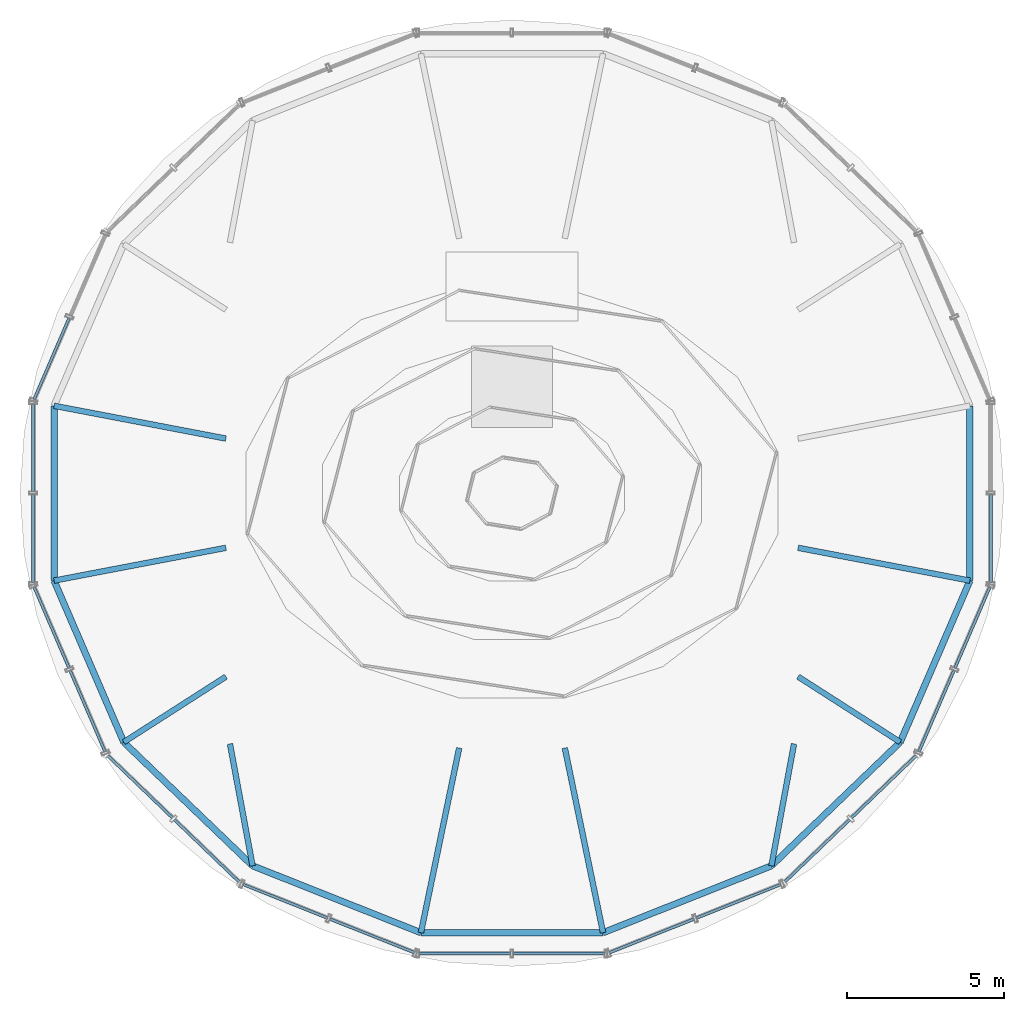
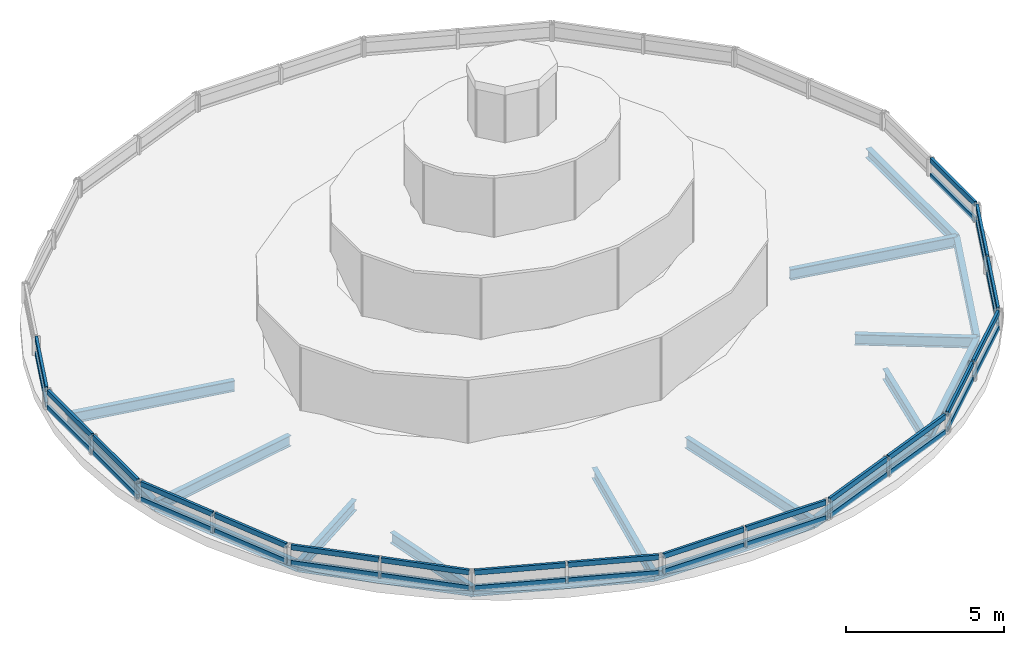
# One storey, part 1 of 8: 36 members, 18 beams, 10 elements without a shape of their own.
"""IFC4 building model written with IfcOpenShell, lengths in metres."""

from ifc_helpers import new_model, si_unit, direction, frame, origin, origin_2d, place, context, subcontext, project, spatial, hollow_rectangle, i_section, extrude, source, transform, mapped, material, material_profile, profile_set, type_object, element, aggregate, save


model = new_model("IFC4")

# Units and contexts
model_context = context("Model", 3, precision=1e-05, world=origin(), true_north=direction((-0.2419218956, 0.970295726276)))
body_context = subcontext(model_context, "Body", "Model", "MODEL_VIEW")
ifc_project = project(units=[si_unit("LENGTHUNIT", "METRE"), si_unit("AREAUNIT", "SQUARE_METRE"), si_unit("VOLUMEUNIT", "CUBIC_METRE"), si_unit("PLANEANGLEUNIT", "RADIAN"), si_unit("MASSUNIT", "GRAM", prefix="KILO")], contexts=[model_context])

# Site, building, storey
site_placement = place(None, origin())
site = spatial("IfcSite", under=ifc_project, at=site_placement, CompositionType="ELEMENT")
building_placement = place(site_placement, origin())
building = spatial("IfcBuilding", under=site, at=building_placement, Name="Cobrevalo Terracotta Tower", CompositionType="ELEMENT")
storey_placement = place(building_placement, frame((0.0, 0.0, 337.300048828125)))
storey = spatial("IfcBuildingStorey", under=building, at=storey_placement, Name="RF", CompositionType="ELEMENT", Elevation=337.300048828125)

# Beams
ifc_material_1 = material(Name="Steel S355", Category="steel")
ifc_material_profile_1 = material_profile(ifc_material_1, i_section(OverallWidth=0.179931640625, OverallDepth=0.4130859375, WebThickness=0.009765625, FlangeThickness=0.01611328125, at=origin_2d()), Name="W 410x75")
ifc_profile_set_1 = profile_set([ifc_material_profile_1], Name="Steel S355")
beam_type_1 = type_object("IfcBeamType", Name="Structural Beam W 410x75 (Steel S355)", PredefinedType="BEAM", material=ifc_profile_set_1)
for number, where, z_axis, x_axis, name in (
    (1, (23.38623046875, 29.58984375, -0.556640625), (0.982261932892, -0.187513986655, 0.0), (0.187513986655, 0.982261932892, 0.0), "RF radial floor girder 08"),
    (2, (23.38623046875, 24.01025390625, -0.556640625), (0.982261932892, 0.187513986655, 0.0), (-0.187513986655, 0.982261932892, 0.0), "RF radial floor girder 09"),
):
    element("IfcBeam", number, at=place(storey_placement, frame(where, z_axis=z_axis, x_axis=x_axis)), inside=storey, type_object=beam_type_1, Name=name, PredefinedType="BEAM", context=body_context, shape_type="SweptSolid", body=[
        extrude(i_section(OverallWidth=0.179931640625, OverallDepth=0.4130859375, WebThickness=0.009765625, FlangeThickness=0.01611328125, at=origin_2d()), origin(), (0.0, 0.0, 1.0), 5.5830078125),
    ])
beam_1_placement = place(storey_placement, frame((25.611083984375, 18.855224609375, -0.556640625), z_axis=(0.841794646381, 0.539797900444, 0.0), x_axis=(-0.539797900444, 0.841794646381, 0.0)))
element("IfcBeam", 3, at=beam_1_placement, inside=storey, type_object=beam_type_1, Name="RF radial floor girder 10", PredefinedType="BEAM", context=body_context, shape_type="SweptSolid", body=[
    extrude(i_section(OverallWidth=0.179931640625, OverallDepth=0.4130859375, WebThickness=0.009765625, FlangeThickness=0.01611328125, at=origin_2d()), origin(), (0.0, 0.0, 1.0), 3.87158203125),
])
beam_2_placement = place(storey_placement, frame((29.721923828125, 14.909912109375, -0.556640625), z_axis=(-0.182462670706, 0.983212781548, 0.0), x_axis=(-0.983212781548, -0.182462670706, 0.0)))
element("IfcBeam", 4, at=beam_2_placement, inside=storey, type_object=beam_type_1, Name="RF radial floor girder 11", PredefinedType="BEAM", context=body_context, shape_type="SweptSolid", body=[
    extrude(i_section(OverallWidth=0.179931640625, OverallDepth=0.4130859375, WebThickness=0.009765625, FlangeThickness=0.01611328125, at=origin_2d()), origin(), (0.0, 0.0, 1.0), 3.95654296875),
])
for number, where, z_axis, x_axis, name in (
    (5, (35.09326171875, 12.774658203125, -0.556640625), (0.202919370173, 0.979195449953, 0.0), (-0.979195449953, 0.202919370173, 0.0), "RF radial floor girder 12"),
    (6, (40.90673828125, 12.774658203125, -0.556640625), (-0.202919370173, 0.979195449953, 0.0), (-0.979195449953, -0.202919370173, 0.0), "RF radial floor girder 13"),
):
    element("IfcBeam", number, at=place(storey_placement, frame(where, z_axis=z_axis, x_axis=x_axis)), inside=storey, type_object=beam_type_1, Name=name, PredefinedType="BEAM", context=body_context, shape_type="SweptSolid", body=[
        extrude(i_section(OverallWidth=0.179931640625, OverallDepth=0.4130859375, WebThickness=0.009765625, FlangeThickness=0.01611328125, at=origin_2d()), origin(), (0.0, 0.0, 1.0), 6.0205078125),
    ])
beam_3_placement = place(storey_placement, frame((46.278076171875, 14.909912109375, -0.556640625), z_axis=(0.182462670706, 0.983212781548, 0.0), x_axis=(-0.983212781548, 0.182462670706, 0.0)))
element("IfcBeam", 7, at=beam_3_placement, inside=storey, type_object=beam_type_1, Name="RF radial floor girder 14", PredefinedType="BEAM", context=body_context, shape_type="SweptSolid", body=[
    extrude(i_section(OverallWidth=0.179931640625, OverallDepth=0.4130859375, WebThickness=0.009765625, FlangeThickness=0.01611328125, at=origin_2d()), origin(), (0.0, 0.0, 1.0), 3.95654296875),
])
beam_4_placement = place(storey_placement, frame((50.388916015625, 18.855224609375, -0.556640625), z_axis=(-0.841794646381, 0.539797900444, 0.0), x_axis=(-0.539797900444, -0.841794646381, 0.0)))
element("IfcBeam", 8, at=beam_4_placement, inside=storey, type_object=beam_type_1, Name="RF radial floor girder 15", PredefinedType="BEAM", context=body_context, shape_type="SweptSolid", body=[
    extrude(i_section(OverallWidth=0.179931640625, OverallDepth=0.4130859375, WebThickness=0.009765625, FlangeThickness=0.01611328125, at=origin_2d()), origin(), (0.0, 0.0, 1.0), 3.87158203125),
])
beam_5_placement = place(storey_placement, frame((52.61376953125, 24.01025390625, -0.556640625), z_axis=(-0.982261932892, 0.187513986655, 0.0), x_axis=(-0.187513986655, -0.982261932892, 0.0)))
element("IfcBeam", 9, at=beam_5_placement, inside=storey, type_object=beam_type_1, Name="RF radial floor girder 16", PredefinedType="BEAM", context=body_context, shape_type="SweptSolid", body=[
    extrude(i_section(OverallWidth=0.179931640625, OverallDepth=0.4130859375, WebThickness=0.009765625, FlangeThickness=0.01611328125, at=origin_2d()), origin(), (0.0, 0.0, 1.0), 5.5830078125),
])
ifc_material_profile_2 = material_profile(ifc_material_1, i_section(OverallWidth=0.205078125, OverallDepth=0.35400390625, WebThickness=0.009521484375, FlangeThickness=0.016845703125, at=origin_2d()), Name="W 360x79")
ifc_profile_set_2 = profile_set([ifc_material_profile_2], Name="Steel S355")
beam_type_2 = type_object("IfcBeamType", Name="Structural Spandrel W 360x79 (Steel S355)", PredefinedType="SPANDREL", material=ifc_profile_set_2)
beam_6_placement = place(storey_placement, frame((23.38623046875, 29.58984375, -0.527099609375), z_axis=(0.0, -1.0, 0.0), x_axis=(1.0, 0.0, 0.0)))
element("IfcBeam", 10, at=beam_6_placement, inside=storey, type_object=beam_type_2, Name="RF perimeter ring spandrel 08", PredefinedType="SPANDREL", context=body_context, shape_type="SweptSolid", body=[
    extrude(i_section(OverallWidth=0.205078125, OverallDepth=0.35400390625, WebThickness=0.009521484375, FlangeThickness=0.016845703125, at=origin_2d()), origin(), (0.0, 0.0, 1.0), 5.57958984375),
])
beam_7_placement = place(storey_placement, frame((23.38623046875, 24.01025390625, -0.527099609375), z_axis=(0.396258594602, -0.918138947112, 0.0), x_axis=(0.918138947112, 0.396258594602, 0.0)))
element("IfcBeam", 11, at=beam_7_placement, inside=storey, type_object=beam_type_2, Name="RF perimeter ring spandrel 09", PredefinedType="SPANDREL", context=body_context, shape_type="SweptSolid", body=[
    extrude(i_section(OverallWidth=0.205078125, OverallDepth=0.35400390625, WebThickness=0.009521484375, FlangeThickness=0.016845703125, at=origin_2d()), origin(), (0.0, 0.0, 1.0), 5.61474609375),
])
beam_8_placement = place(storey_placement, frame((25.611083984375, 18.855224609375, -0.527099609375), z_axis=(0.72148321486, -0.69243192494, 0.0), x_axis=(0.69243192494, 0.72148321486, 0.0)))
element("IfcBeam", 12, at=beam_8_placement, inside=storey, type_object=beam_type_2, Name="RF perimeter ring spandrel 10", PredefinedType="SPANDREL", context=body_context, shape_type="SweptSolid", body=[
    extrude(i_section(OverallWidth=0.205078125, OverallDepth=0.35400390625, WebThickness=0.009521484375, FlangeThickness=0.016845703125, at=origin_2d()), origin(), (0.0, 0.0, 1.0), 5.69775390625),
])
beam_9_placement = place(storey_placement, frame((29.721923828125, 14.909912109375, -0.527099609375), z_axis=(0.929266894942, -0.369409038824, 0.0), x_axis=(0.369409038824, 0.929266894942, 0.0)))
element("IfcBeam", 13, at=beam_9_placement, inside=storey, type_object=beam_type_2, Name="RF perimeter ring spandrel 11", PredefinedType="SPANDREL", context=body_context, shape_type="SweptSolid", body=[
    extrude(i_section(OverallWidth=0.205078125, OverallDepth=0.35400390625, WebThickness=0.009521484375, FlangeThickness=0.016845703125, at=origin_2d()), origin(), (0.0, 0.0, 1.0), 5.7802734375),
])
beam_10_placement = place(storey_placement, frame((35.09326171875, 12.774658203125, -0.527099609375), z_axis=(1.0, 0.0, 0.0), x_axis=(0.0, 1.0, 0.0)))
element("IfcBeam", 14, at=beam_10_placement, inside=storey, type_object=beam_type_2, Name="RF perimeter ring spandrel 12", PredefinedType="SPANDREL", context=body_context, shape_type="SweptSolid", body=[
    extrude(i_section(OverallWidth=0.205078125, OverallDepth=0.35400390625, WebThickness=0.009521484375, FlangeThickness=0.016845703125, at=origin_2d()), origin(), (0.0, 0.0, 1.0), 5.8134765625),
])
beam_11_placement = place(storey_placement, frame((40.90673828125, 12.774658203125, -0.527099609375), z_axis=(0.929266894942, 0.369409038824, 0.0), x_axis=(-0.369409038824, 0.929266894942, 0.0)))
element("IfcBeam", 15, at=beam_11_placement, inside=storey, type_object=beam_type_2, Name="RF perimeter ring spandrel 13", PredefinedType="SPANDREL", context=body_context, shape_type="SweptSolid", body=[
    extrude(i_section(OverallWidth=0.205078125, OverallDepth=0.35400390625, WebThickness=0.009521484375, FlangeThickness=0.016845703125, at=origin_2d()), origin(), (0.0, 0.0, 1.0), 5.7802734375),
])
beam_12_placement = place(storey_placement, frame((46.278076171875, 14.909912109375, -0.527099609375), z_axis=(0.72148321486, 0.69243192494, 0.0), x_axis=(-0.69243192494, 0.72148321486, 0.0)))
element("IfcBeam", 16, at=beam_12_placement, inside=storey, type_object=beam_type_2, Name="RF perimeter ring spandrel 14", PredefinedType="SPANDREL", context=body_context, shape_type="SweptSolid", body=[
    extrude(i_section(OverallWidth=0.205078125, OverallDepth=0.35400390625, WebThickness=0.009521484375, FlangeThickness=0.016845703125, at=origin_2d()), origin(), (0.0, 0.0, 1.0), 5.69775390625),
])
beam_13_placement = place(storey_placement, frame((50.388916015625, 18.855224609375, -0.527099609375), z_axis=(0.396258594602, 0.918138947112, 0.0), x_axis=(-0.918138947112, 0.396258594602, 0.0)))
element("IfcBeam", 17, at=beam_13_placement, inside=storey, type_object=beam_type_2, Name="RF perimeter ring spandrel 15", PredefinedType="SPANDREL", context=body_context, shape_type="SweptSolid", body=[
    extrude(i_section(OverallWidth=0.205078125, OverallDepth=0.35400390625, WebThickness=0.009521484375, FlangeThickness=0.016845703125, at=origin_2d()), origin(), (0.0, 0.0, 1.0), 5.61474609375),
])
beam_14_placement = place(storey_placement, frame((52.61376953125, 24.01025390625, -0.527099609375), z_axis=(0.0, 1.0, 0.0), x_axis=(-1.0, 0.0, 0.0)))
element("IfcBeam", 18, at=beam_14_placement, inside=storey, type_object=beam_type_2, Name="RF perimeter ring spandrel 16", PredefinedType="SPANDREL", context=body_context, shape_type="SweptSolid", body=[
    extrude(i_section(OverallWidth=0.205078125, OverallDepth=0.35400390625, WebThickness=0.009521484375, FlangeThickness=0.016845703125, at=origin_2d()), origin(), (0.0, 0.0, 1.0), 5.57958984375),
])

# Curtain wall, members
ifc_material_2 = material(Name="Anodized aluminium", Category="aluminium")
curtain_wall_type = type_object("IfcCurtainWallType", Name="Faceted glass-point crown structural glazing system CW-CR", PredefinedType="NOTDEFINED", material=ifc_material_2)
curtain_wall_1_placement = place(storey_placement, origin())
curtain_wall_1 = element("IfcCurtainWall", 19, at=curtain_wall_1_placement, inside=storey, type_object=curtain_wall_type, Name="RF curtain wall CW-CRN-RF-S07", PredefinedType="NOTDEFINED")
ifc_material_profile_3 = material_profile(ifc_material_2, hollow_rectangle(XDim=0.090087890625, YDim=0.195068359375, WallThickness=0.005615234375, at=origin_2d()), Name="CWT 90x195")
ifc_profile_set_3 = profile_set([ifc_material_profile_3], Name="Anodized aluminium")
member_type = type_object("IfcMemberType", Name="Crown structural aluminium transom 90x195", PredefinedType="USERDEFINED", material=ifc_profile_set_3)
shared_shape_1 = source(origin(), body_context, "Body", "SweptSolid", [
    extrude(hollow_rectangle(XDim=0.090087890625, YDim=0.195068359375, WallThickness=0.005615234375, at=origin_2d()), origin(), (0.0, 0.0, 1.0), 2.820068359375),
])
member_1_placement = place(storey_placement, frame((23.86669921875, 32.3857421875, 0.050048828125), z_axis=(-0.395653106009, -0.918400032505, 0.0), x_axis=(0.918400032505, -0.395653106009, 0.0)))
member_1 = element("IfcMember", 20, at=member_1_placement, type_object=member_type, Name="CW-CRN-RF-S07 transom B02-T1", ObjectType="TRANSOM", PredefinedType="USERDEFINED", context=body_context, shape_type="MappedRepresentation", body=[
    mapped(shared_shape_1, transform((0.0, 0.0, 0.0), scale=1.0)),
])
member_2_placement = place(storey_placement, frame((23.86669921875, 32.3857421875, 0.64990234375), z_axis=(-0.395653106009, -0.918400032505, 0.0), x_axis=(0.918400032505, -0.395653106009, 0.0)))
member_2 = element("IfcMember", 21, at=member_2_placement, type_object=member_type, Name="CW-CRN-RF-S07 transom B02-T2", ObjectType="TRANSOM", PredefinedType="USERDEFINED", context=body_context, shape_type="MappedRepresentation", body=[
    mapped(shared_shape_1, transform((0.0, 0.0, 0.0), scale=1.0)),
])
aggregate(curtain_wall_1, [member_1, member_2])

curtain_wall_2_placement = place(storey_placement, origin())
curtain_wall_2 = element("IfcCurtainWall", 22, at=curtain_wall_2_placement, inside=storey, type_object=curtain_wall_type, Name="RF curtain wall CW-CRN-RF-S09", PredefinedType="NOTDEFINED")
member_3_placement = place(storey_placement, frame((23.8984375, 21.140869140625, 0.050048828125), z_axis=(0.395653106009, -0.918400032505, 0.0), x_axis=(0.918400032505, 0.395653106009, 0.0)))
member_3 = element("IfcMember", 23, at=member_3_placement, type_object=member_type, Name="CW-CRN-RF-S09 transom B02-T1", ObjectType="TRANSOM", PredefinedType="USERDEFINED", context=body_context, shape_type="MappedRepresentation", body=[
    mapped(shared_shape_1, transform((0.0, 0.0, 0.0), scale=1.0)),
])
member_4_placement = place(storey_placement, frame((23.8984375, 21.140869140625, 0.64990234375), z_axis=(0.395653106009, -0.918400032505, 0.0), x_axis=(0.918400032505, 0.395653106009, 0.0)))
member_4 = element("IfcMember", 24, at=member_4_placement, type_object=member_type, Name="CW-CRN-RF-S09 transom B02-T2", ObjectType="TRANSOM", PredefinedType="USERDEFINED", context=body_context, shape_type="MappedRepresentation", body=[
    mapped(shared_shape_1, transform((0.0, 0.0, 0.0), scale=1.0)),
])

curtain_wall_3_placement = place(storey_placement, origin())
curtain_wall_3 = element("IfcCurtainWall", 25, at=curtain_wall_3_placement, inside=storey, type_object=curtain_wall_type, Name="RF curtain wall CW-CRN-RF-S15", PredefinedType="NOTDEFINED")
member_5_placement = place(storey_placement, frame((50.98583984375, 18.551025390625, 0.050048828125), z_axis=(0.395653106009, 0.918400032505, 0.0), x_axis=(-0.918400032505, 0.395653106009, 0.0)))
member_5 = element("IfcMember", 26, at=member_5_placement, type_object=member_type, Name="CW-CRN-RF-S15 transom B01-T1", ObjectType="TRANSOM", PredefinedType="USERDEFINED", context=body_context, shape_type="MappedRepresentation", body=[
    mapped(shared_shape_1, transform((0.0, 0.0, 0.0), scale=1.0)),
])
member_6_placement = place(storey_placement, frame((50.98583984375, 18.551025390625, 0.64990234375), z_axis=(0.395653106009, 0.918400032505, 0.0), x_axis=(-0.918400032505, 0.395653106009, 0.0)))
member_6 = element("IfcMember", 27, at=member_6_placement, type_object=member_type, Name="CW-CRN-RF-S15 transom B01-T2", ObjectType="TRANSOM", PredefinedType="USERDEFINED", context=body_context, shape_type="MappedRepresentation", body=[
    mapped(shared_shape_1, transform((0.0, 0.0, 0.0), scale=1.0)),
])

curtain_wall_4_placement = place(storey_placement, origin())
curtain_wall_4 = element("IfcCurtainWall", 28, at=curtain_wall_4_placement, inside=storey, type_object=curtain_wall_type, Name="RF curtain wall CW-CRN-RF-S10", PredefinedType="NOTDEFINED")
shared_shape_2 = source(origin(), body_context, "Body", "SweptSolid", [
    extrude(hollow_rectangle(XDim=0.090087890625, YDim=0.195068359375, WallThickness=0.005615234375, at=origin_2d()), origin(), (0.0, 0.0, 1.0), 2.861328125),
])
member_7_placement = place(storey_placement, frame((27.223876953125, 16.38330078125, 0.050048828125), z_axis=(0.720877330681, -0.693062676899, 0.0), x_axis=(0.693062676899, 0.720877330681, 0.0)))
member_7 = element("IfcMember", 29, at=member_7_placement, type_object=member_type, Name="CW-CRN-RF-S10 transom B02-T1", ObjectType="TRANSOM", PredefinedType="USERDEFINED", context=body_context, shape_type="MappedRepresentation", body=[
    mapped(shared_shape_2, transform((0.0, 0.0, 0.0), scale=1.0)),
])
member_8_placement = place(storey_placement, frame((27.223876953125, 16.38330078125, 0.64990234375), z_axis=(0.720877330681, -0.693062676899, 0.0), x_axis=(0.693062676899, 0.720877330681, 0.0)))
member_8 = element("IfcMember", 30, at=member_8_placement, type_object=member_type, Name="CW-CRN-RF-S10 transom B02-T2", ObjectType="TRANSOM", PredefinedType="USERDEFINED", context=body_context, shape_type="MappedRepresentation", body=[
    mapped(shared_shape_2, transform((0.0, 0.0, 0.0), scale=1.0)),
])

curtain_wall_5_placement = place(storey_placement, origin())
curtain_wall_5 = element("IfcCurtainWall", 31, at=curtain_wall_5_placement, inside=storey, type_object=curtain_wall_type, Name="RF curtain wall CW-CRN-RF-S14", PredefinedType="NOTDEFINED")
member_9_placement = place(storey_placement, frame((46.71337890625, 14.400146484375, 0.050048828125), z_axis=(0.720877330681, 0.693062676899, 0.0), x_axis=(-0.693062676899, 0.720877330681, 0.0)))
member_9 = element("IfcMember", 32, at=member_9_placement, type_object=member_type, Name="CW-CRN-RF-S14 transom B01-T1", ObjectType="TRANSOM", PredefinedType="USERDEFINED", context=body_context, shape_type="MappedRepresentation", body=[
    mapped(shared_shape_2, transform((0.0, 0.0, 0.0), scale=1.0)),
])
member_10_placement = place(storey_placement, frame((46.71337890625, 14.400146484375, 0.64990234375), z_axis=(0.720877330681, 0.693062676899, 0.0), x_axis=(-0.693062676899, 0.720877330681, 0.0)))
member_10 = element("IfcMember", 33, at=member_10_placement, type_object=member_type, Name="CW-CRN-RF-S14 transom B01-T2", ObjectType="TRANSOM", PredefinedType="USERDEFINED", context=body_context, shape_type="MappedRepresentation", body=[
    mapped(shared_shape_2, transform((0.0, 0.0, 0.0), scale=1.0)),
])

# Member
shared_shape_3 = source(origin(), body_context, "Body", "SweptSolid", [
    extrude(hollow_rectangle(XDim=0.090087890625, YDim=0.195068359375, WallThickness=0.005615234375, at=origin_2d()), origin(), (0.0, 0.0, 1.0), 2.861572265625),
])
member_11_placement = place(storey_placement, frame((25.103271484375, 18.422119140625, 0.050048828125), z_axis=(0.720834704331, -0.693107011242, 0.0), x_axis=(0.693107011242, 0.720834704331, 0.0)))
member_11 = element("IfcMember", 34, at=member_11_placement, type_object=member_type, Name="CW-CRN-RF-S10 transom B01-T1", ObjectType="TRANSOM", PredefinedType="USERDEFINED", context=body_context, shape_type="MappedRepresentation", body=[
    mapped(shared_shape_3, transform((0.0, 0.0, 0.0), scale=1.0)),
])

member_12_placement = place(storey_placement, frame((25.103271484375, 18.422119140625, 0.64990234375), z_axis=(0.720834704331, -0.693107011242, 0.0), x_axis=(0.693107011242, 0.720834704331, 0.0)))
member_12 = element("IfcMember", 35, at=member_12_placement, type_object=member_type, Name="CW-CRN-RF-S10 transom B01-T2", ObjectType="TRANSOM", PredefinedType="USERDEFINED", context=body_context, shape_type="MappedRepresentation", body=[
    mapped(shared_shape_3, transform((0.0, 0.0, 0.0), scale=1.0)),
])

aggregate(curtain_wall_4, [member_11, member_12, member_7, member_8])

member_13_placement = place(storey_placement, frame((48.833984375, 16.438720703125, 0.050048828125), z_axis=(0.720834704331, 0.693107011242, 0.0), x_axis=(-0.693107011242, 0.720834704331, 0.0)))
member_13 = element("IfcMember", 36, at=member_13_placement, type_object=member_type, Name="CW-CRN-RF-S14 transom B02-T1", ObjectType="TRANSOM", PredefinedType="USERDEFINED", context=body_context, shape_type="MappedRepresentation", body=[
    mapped(shared_shape_3, transform((0.0, 0.0, 0.0), scale=1.0)),
])

member_14_placement = place(storey_placement, frame((48.833984375, 16.438720703125, 0.64990234375), z_axis=(0.720834704331, 0.693107011242, 0.0), x_axis=(-0.693107011242, 0.720834704331, 0.0)))
member_14 = element("IfcMember", 37, at=member_14_placement, type_object=member_type, Name="CW-CRN-RF-S14 transom B02-T2", ObjectType="TRANSOM", PredefinedType="USERDEFINED", context=body_context, shape_type="MappedRepresentation", body=[
    mapped(shared_shape_3, transform((0.0, 0.0, 0.0), scale=1.0)),
])

aggregate(curtain_wall_5, [member_9, member_10, member_13, member_14])

# Curtain wall, members
curtain_wall_6_placement = place(storey_placement, origin())
curtain_wall_6 = element("IfcCurtainWall", 38, at=curtain_wall_6_placement, inside=storey, type_object=curtain_wall_type, Name="RF curtain wall CW-CRN-RF-S11", PredefinedType="NOTDEFINED")
shared_shape_4 = source(origin(), body_context, "Body", "SweptSolid", [
    extrude(hollow_rectangle(XDim=0.090087890625, YDim=0.195068359375, WallThickness=0.005615234375, at=origin_2d()), origin(), (0.0, 0.0, 1.0), 2.90283203125),
])
member_15_placement = place(storey_placement, frame((29.41845703125, 14.31494140625, 0.050048828125), z_axis=(0.929038267601, -0.369983644684, 0.0), x_axis=(0.369983644684, 0.929038267601, 0.0)))
member_15 = element("IfcMember", 39, at=member_15_placement, type_object=member_type, Name="CW-CRN-RF-S11 transom B01-T1", ObjectType="TRANSOM", PredefinedType="USERDEFINED", context=body_context, shape_type="MappedRepresentation", body=[
    mapped(shared_shape_4, transform((0.0, 0.0, 0.0), scale=1.0)),
])
member_16_placement = place(storey_placement, frame((29.41845703125, 14.31494140625, 0.64990234375), z_axis=(0.929038267601, -0.369983644684, 0.0), x_axis=(0.369983644684, 0.929038267601, 0.0)))
member_16 = element("IfcMember", 40, at=member_16_placement, type_object=member_type, Name="CW-CRN-RF-S11 transom B01-T2", ObjectType="TRANSOM", PredefinedType="USERDEFINED", context=body_context, shape_type="MappedRepresentation", body=[
    mapped(shared_shape_4, transform((0.0, 0.0, 0.0), scale=1.0)),
])
member_17_placement = place(storey_placement, frame((32.189453125, 13.21142578125, 0.050048828125), z_axis=(0.929038267601, -0.369983644684, 0.0), x_axis=(0.369983644684, 0.929038267601, 0.0)))
member_17 = element("IfcMember", 41, at=member_17_placement, type_object=member_type, Name="CW-CRN-RF-S11 transom B02-T1", ObjectType="TRANSOM", PredefinedType="USERDEFINED", context=body_context, shape_type="MappedRepresentation", body=[
    mapped(shared_shape_4, transform((0.0, 0.0, 0.0), scale=1.0)),
])
member_18_placement = place(storey_placement, frame((32.189453125, 13.21142578125, 0.64990234375), z_axis=(0.929038267601, -0.369983644684, 0.0), x_axis=(0.369983644684, 0.929038267601, 0.0)))
member_18 = element("IfcMember", 42, at=member_18_placement, type_object=member_type, Name="CW-CRN-RF-S11 transom B02-T2", ObjectType="TRANSOM", PredefinedType="USERDEFINED", context=body_context, shape_type="MappedRepresentation", body=[
    mapped(shared_shape_4, transform((0.0, 0.0, 0.0), scale=1.0)),
])
aggregate(curtain_wall_6, [member_15, member_16, member_17, member_18])

curtain_wall_7_placement = place(storey_placement, origin())
curtain_wall_7 = element("IfcCurtainWall", 43, at=curtain_wall_7_placement, inside=storey, type_object=curtain_wall_type, Name="RF curtain wall CW-CRN-RF-S13", PredefinedType="NOTDEFINED")
member_19_placement = place(storey_placement, frame((41.11376953125, 12.137451171875, 0.050048828125), z_axis=(0.929038267601, 0.369983644684, 0.0), x_axis=(-0.369983644684, 0.929038267601, 0.0)))
member_19 = element("IfcMember", 44, at=member_19_placement, type_object=member_type, Name="CW-CRN-RF-S13 transom B01-T1", ObjectType="TRANSOM", PredefinedType="USERDEFINED", context=body_context, shape_type="MappedRepresentation", body=[
    mapped(shared_shape_4, transform((0.0, 0.0, 0.0), scale=1.0)),
])
member_20_placement = place(storey_placement, frame((41.11376953125, 12.137451171875, 0.64990234375), z_axis=(0.929038267601, 0.369983644684, 0.0), x_axis=(-0.369983644684, 0.929038267601, 0.0)))
member_20 = element("IfcMember", 45, at=member_20_placement, type_object=member_type, Name="CW-CRN-RF-S13 transom B01-T2", ObjectType="TRANSOM", PredefinedType="USERDEFINED", context=body_context, shape_type="MappedRepresentation", body=[
    mapped(shared_shape_4, transform((0.0, 0.0, 0.0), scale=1.0)),
])
member_21_placement = place(storey_placement, frame((43.884765625, 13.240966796875, 0.050048828125), z_axis=(0.929038267601, 0.369983644684, 0.0), x_axis=(-0.369983644684, 0.929038267601, 0.0)))
member_21 = element("IfcMember", 46, at=member_21_placement, type_object=member_type, Name="CW-CRN-RF-S13 transom B02-T1", ObjectType="TRANSOM", PredefinedType="USERDEFINED", context=body_context, shape_type="MappedRepresentation", body=[
    mapped(shared_shape_4, transform((0.0, 0.0, 0.0), scale=1.0)),
])
member_22_placement = place(storey_placement, frame((43.884765625, 13.240966796875, 0.64990234375), z_axis=(0.929038267601, 0.369983644684, 0.0), x_axis=(-0.369983644684, 0.929038267601, 0.0)))
member_22 = element("IfcMember", 47, at=member_22_placement, type_object=member_type, Name="CW-CRN-RF-S13 transom B02-T2", ObjectType="TRANSOM", PredefinedType="USERDEFINED", context=body_context, shape_type="MappedRepresentation", body=[
    mapped(shared_shape_4, transform((0.0, 0.0, 0.0), scale=1.0)),
])
aggregate(curtain_wall_7, [member_19, member_20, member_21, member_22])

curtain_wall_8_placement = place(storey_placement, origin())
curtain_wall_8 = element("IfcCurtainWall", 48, at=curtain_wall_8_placement, inside=storey, type_object=curtain_wall_type, Name="RF curtain wall CW-CRN-RF-S12", PredefinedType="NOTDEFINED")
shared_shape_5 = source(origin(), body_context, "Body", "SweptSolid", [
    extrude(hollow_rectangle(XDim=0.090087890625, YDim=0.195068359375, WallThickness=0.005615234375, at=origin_2d()), origin(), (0.0, 0.0, 1.0), 2.91943359375),
])
member_23_placement = place(storey_placement, frame((35.04052734375, 12.10791015625, 0.050048828125), z_axis=(1.0, 0.0, 0.0), x_axis=(0.0, 1.0, 0.0)))
member_23 = element("IfcMember", 49, at=member_23_placement, type_object=member_type, Name="CW-CRN-RF-S12 transom B01-T1", ObjectType="TRANSOM", PredefinedType="USERDEFINED", context=body_context, shape_type="MappedRepresentation", body=[
    mapped(shared_shape_5, transform((0.0, 0.0, 0.0), scale=1.0)),
])
member_24_placement = place(storey_placement, frame((35.04052734375, 12.10791015625, 0.64990234375), z_axis=(1.0, 0.0, 0.0), x_axis=(0.0, 1.0, 0.0)))
member_24 = element("IfcMember", 50, at=member_24_placement, type_object=member_type, Name="CW-CRN-RF-S12 transom B01-T2", ObjectType="TRANSOM", PredefinedType="USERDEFINED", context=body_context, shape_type="MappedRepresentation", body=[
    mapped(shared_shape_5, transform((0.0, 0.0, 0.0), scale=1.0)),
])
member_25_placement = place(storey_placement, frame((38.0400390625, 12.10791015625, 0.050048828125), z_axis=(1.0, 0.0, 0.0), x_axis=(0.0, 1.0, 0.0)))
member_25 = element("IfcMember", 51, at=member_25_placement, type_object=member_type, Name="CW-CRN-RF-S12 transom B02-T1", ObjectType="TRANSOM", PredefinedType="USERDEFINED", context=body_context, shape_type="MappedRepresentation", body=[
    mapped(shared_shape_5, transform((0.0, 0.0, 0.0), scale=1.0)),
])
member_26_placement = place(storey_placement, frame((38.0400390625, 12.10791015625, 0.64990234375), z_axis=(1.0, 0.0, 0.0), x_axis=(0.0, 1.0, 0.0)))
member_26 = element("IfcMember", 52, at=member_26_placement, type_object=member_type, Name="CW-CRN-RF-S12 transom B02-T2", ObjectType="TRANSOM", PredefinedType="USERDEFINED", context=body_context, shape_type="MappedRepresentation", body=[
    mapped(shared_shape_5, transform((0.0, 0.0, 0.0), scale=1.0)),
])
aggregate(curtain_wall_8, [member_23, member_24, member_25, member_26])

curtain_wall_9_placement = place(storey_placement, origin())
curtain_wall_9 = element("IfcCurtainWall", 53, at=curtain_wall_9_placement, inside=storey, type_object=curtain_wall_type, Name="RF curtain wall CW-CRN-RF-S08", PredefinedType="NOTDEFINED")
shared_shape_6 = source(origin(), body_context, "Body", "SweptSolid", [
    extrude(hollow_rectangle(XDim=0.090087890625, YDim=0.195068359375, WallThickness=0.005615234375, at=origin_2d()), origin(), (0.0, 0.0, 1.0), 2.80224609375),
])
member_27_placement = place(storey_placement, frame((22.719482421875, 29.642333984375, 0.050048828125), z_axis=(0.0, -1.0, 0.0), x_axis=(1.0, 0.0, 0.0)))
member_27 = element("IfcMember", 54, at=member_27_placement, type_object=member_type, Name="CW-CRN-RF-S08 transom B01-T1", ObjectType="TRANSOM", PredefinedType="USERDEFINED", context=body_context, shape_type="MappedRepresentation", body=[
    mapped(shared_shape_6, transform((0.0, 0.0, 0.0), scale=1.0)),
])
member_28_placement = place(storey_placement, frame((22.719482421875, 29.642333984375, 0.64990234375), z_axis=(0.0, -1.0, 0.0), x_axis=(1.0, 0.0, 0.0)))
member_28 = element("IfcMember", 55, at=member_28_placement, type_object=member_type, Name="CW-CRN-RF-S08 transom B01-T2", ObjectType="TRANSOM", PredefinedType="USERDEFINED", context=body_context, shape_type="MappedRepresentation", body=[
    mapped(shared_shape_6, transform((0.0, 0.0, 0.0), scale=1.0)),
])
shared_shape_7 = source(origin(), body_context, "Body", "SweptSolid", [
    extrude(hollow_rectangle(XDim=0.090087890625, YDim=0.195068359375, WallThickness=0.005615234375, at=origin_2d()), origin(), (0.0, 0.0, 1.0), 2.802490234375),
])
member_29_placement = place(storey_placement, frame((22.719482421875, 26.760009765625, 0.050048828125), z_axis=(0.0, -1.0, 0.0), x_axis=(1.0, 0.0, 0.0)))
member_29 = element("IfcMember", 56, at=member_29_placement, type_object=member_type, Name="CW-CRN-RF-S08 transom B02-T1", ObjectType="TRANSOM", PredefinedType="USERDEFINED", context=body_context, shape_type="MappedRepresentation", body=[
    mapped(shared_shape_7, transform((0.0, 0.0, 0.0), scale=1.0)),
])
member_30_placement = place(storey_placement, frame((22.719482421875, 26.760009765625, 0.64990234375), z_axis=(0.0, -1.0, 0.0), x_axis=(1.0, 0.0, 0.0)))
member_30 = element("IfcMember", 57, at=member_30_placement, type_object=member_type, Name="CW-CRN-RF-S08 transom B02-T2", ObjectType="TRANSOM", PredefinedType="USERDEFINED", context=body_context, shape_type="MappedRepresentation", body=[
    mapped(shared_shape_7, transform((0.0, 0.0, 0.0), scale=1.0)),
])
aggregate(curtain_wall_9, [member_27, member_28, member_29, member_30])

curtain_wall_10_placement = place(storey_placement, origin())
curtain_wall_10 = element("IfcCurtainWall", 58, at=curtain_wall_10_placement, inside=storey, type_object=curtain_wall_type, Name="RF curtain wall CW-CRN-RF-S16", PredefinedType="NOTDEFINED")
member_31_placement = place(storey_placement, frame((53.280517578125, 23.95751953125, 0.050048828125), z_axis=(0.0, 1.0, 0.0), x_axis=(-1.0, 0.0, 0.0)))
member_31 = element("IfcMember", 59, at=member_31_placement, type_object=member_type, Name="CW-CRN-RF-S16 transom B01-T1", ObjectType="TRANSOM", PredefinedType="USERDEFINED", context=body_context, shape_type="MappedRepresentation", body=[
    mapped(shared_shape_7, transform((0.0, 0.0, 0.0), scale=1.0)),
])
member_32_placement = place(storey_placement, frame((53.280517578125, 23.95751953125, 0.64990234375), z_axis=(0.0, 1.0, 0.0), x_axis=(-1.0, 0.0, 0.0)))
member_32 = element("IfcMember", 60, at=member_32_placement, type_object=member_type, Name="CW-CRN-RF-S16 transom B01-T2", ObjectType="TRANSOM", PredefinedType="USERDEFINED", context=body_context, shape_type="MappedRepresentation", body=[
    mapped(shared_shape_7, transform((0.0, 0.0, 0.0), scale=1.0)),
])
aggregate(curtain_wall_10, [member_31, member_32])

# Member
shared_shape_8 = source(origin(), body_context, "Body", "SweptSolid", [
    extrude(hollow_rectangle(XDim=0.090087890625, YDim=0.195068359375, WallThickness=0.005615234375, at=origin_2d()), origin(), (0.0, 0.0, 1.0), 2.81982421875),
])
member_33_placement = place(storey_placement, frame((22.7509765625, 23.803955078125, 0.050048828125), z_axis=(0.395684567274, -0.918386478135, 0.0), x_axis=(0.918386478135, 0.395684567274, 0.0)))
member_33 = element("IfcMember", 61, at=member_33_placement, type_object=member_type, Name="CW-CRN-RF-S09 transom B01-T1", ObjectType="TRANSOM", PredefinedType="USERDEFINED", context=body_context, shape_type="MappedRepresentation", body=[
    mapped(shared_shape_8, transform((0.0, 0.0, 0.0), scale=1.0)),
])

member_34_placement = place(storey_placement, frame((22.7509765625, 23.803955078125, 0.64990234375), z_axis=(0.395684567274, -0.918386478135, 0.0), x_axis=(0.918386478135, 0.395684567274, 0.0)))
member_34 = element("IfcMember", 62, at=member_34_placement, type_object=member_type, Name="CW-CRN-RF-S09 transom B01-T2", ObjectType="TRANSOM", PredefinedType="USERDEFINED", context=body_context, shape_type="MappedRepresentation", body=[
    mapped(shared_shape_8, transform((0.0, 0.0, 0.0), scale=1.0)),
])

aggregate(curtain_wall_2, [member_33, member_34, member_3, member_4])

member_35_placement = place(storey_placement, frame((52.13330078125, 21.21435546875, 0.050048828125), z_axis=(0.395684567274, 0.918386478135, 0.0), x_axis=(-0.918386478135, 0.395684567274, 0.0)))
member_35 = element("IfcMember", 63, at=member_35_placement, type_object=member_type, Name="CW-CRN-RF-S15 transom B02-T1", ObjectType="TRANSOM", PredefinedType="USERDEFINED", context=body_context, shape_type="MappedRepresentation", body=[
    mapped(shared_shape_8, transform((0.0, 0.0, 0.0), scale=1.0)),
])

member_36_placement = place(storey_placement, frame((52.13330078125, 21.21435546875, 0.64990234375), z_axis=(0.395684567274, 0.918386478135, 0.0), x_axis=(-0.918386478135, 0.395684567274, 0.0)))
member_36 = element("IfcMember", 64, at=member_36_placement, type_object=member_type, Name="CW-CRN-RF-S15 transom B02-T2", ObjectType="TRANSOM", PredefinedType="USERDEFINED", context=body_context, shape_type="MappedRepresentation", body=[
    mapped(shared_shape_8, transform((0.0, 0.0, 0.0), scale=1.0)),
])

aggregate(curtain_wall_3, [member_5, member_6, member_35, member_36])

save(model, "model.ifc")
